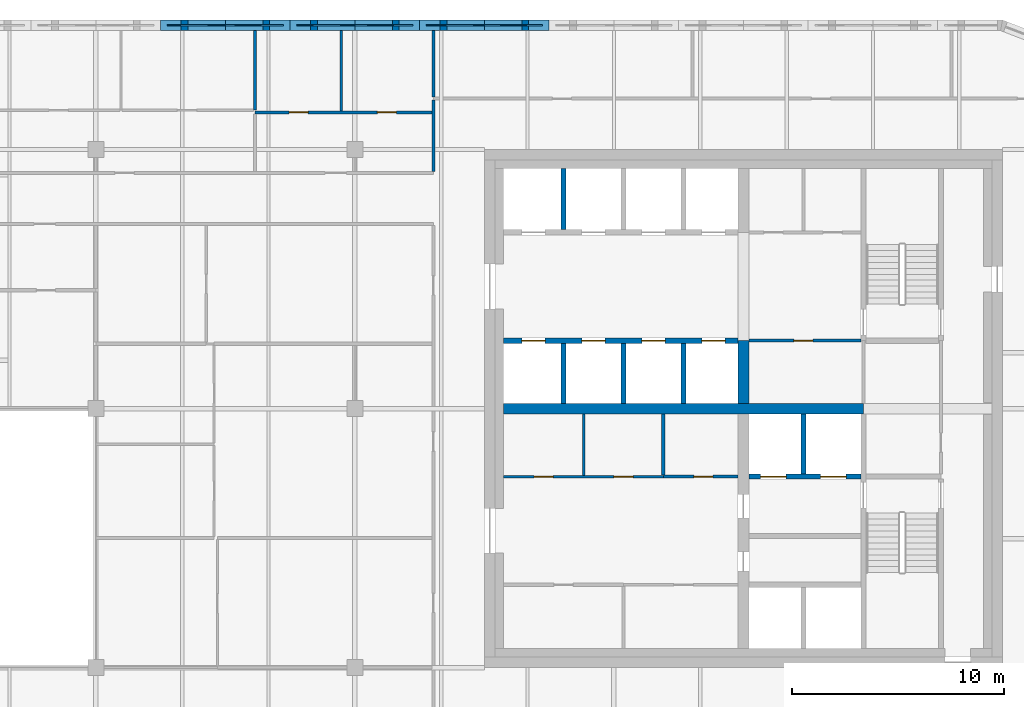
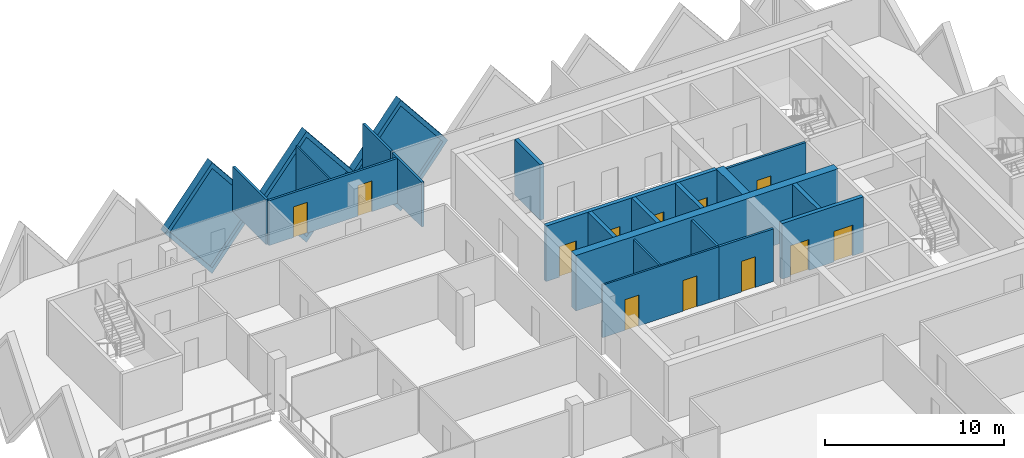
# One storey, part 8 of 12: 22 walls, 12 doors, 3 plates, 15 openings.
"""IFC4 building model written with IfcOpenShell, lengths in metres."""

from ifc_helpers import new_model, si_unit, direction, frame, frame_2d, origin, place, context, subcontext, project, spatial, polyline, rectangle, outline, extrude, faceted_brep, source, transform, mapped, material, layer, layer_set, type_object, element, fill, save


model = new_model("IFC4")

# Units and contexts
model_context = context("Model", 3, precision=1e-05, world=origin(), true_north=direction((0.0, 1.0)))
body_context = subcontext(model_context, "Body", "Model", "MODEL_VIEW")
ifc_project = project(units=[si_unit("LENGTHUNIT", "METRE"), si_unit("AREAUNIT", "SQUARE_METRE"), si_unit("VOLUMEUNIT", "CUBIC_METRE"), si_unit("PLANEANGLEUNIT", "RADIAN"), si_unit("MASSUNIT", "GRAM", prefix="KILO")], contexts=[model_context])

# Site, building, storey
site_placement = place(None, origin())
site = spatial("IfcSite", under=ifc_project, at=site_placement, CompositionType="ELEMENT")
building_placement = place(site_placement, origin())
building = spatial("IfcBuilding", under=site, at=building_placement, Name="Tessera Gate Towers", CompositionType="ELEMENT")
storey_placement = place(building_placement, frame((0.0, 0.0, 220.699951171875)))
storey = spatial("IfcBuildingStorey", under=building, at=storey_placement, Name="L55", CompositionType="ELEMENT", Elevation=220.699951171875)

# Wall, openings, doors
ifc_material_1 = material(Name="Concrete C40/50", Category="concrete")
ifc_layer_1 = layer(ifc_material_1, 0.25)
ifc_layer_set_1 = layer_set([ifc_layer_1], Name="CORE ENCLOSURE WALL 250")
wall_type_1 = type_object("IfcWallType", Name="CORE ENCLOSURE WALL 250", PredefinedType="SOLIDWALL", material=ifc_layer_set_1)
wall_1_placement = place(storey_placement, frame((31.39990234375, 39.800048828125, 0.0), z_axis=(0.0, 0.0, 1.0), x_axis=(1.0, 0.0, 0.0)))
wall_1 = element("IfcWall", 1, at=wall_1_placement, inside=storey, type_object=wall_type_1, Name="L55 shaft and stair enclosure wall", PredefinedType="SOLIDWALL", context=body_context, shape_type="SweptSolid", body=[
    extrude(rectangle(XDim=11.050048828125, YDim=0.25, at=frame_2d((5.52490234375, 0.0))), origin(), (0.0, 0.0, 1.0), 3.800048828125),
])
shared_shape_1 = source(origin(), body_context, "Body", "SweptSolid", [
    extrude(rectangle(XDim=1.10009765625, YDim=2.10009765625, at=frame_2d((0.550048828125, 1.050048828125))), frame((0.0, 0.135009765625, 0.0), z_axis=(0.0, -1.0, 0.0), x_axis=(1.0, 0.0, 0.0)), (0.0, 0.0, 1.0), 0.27001953125),
])
opening_1_placement = place(wall_1_placement, frame((0.862548828125, 0.0, 0.0)))
opening_1 = element("IfcOpeningElement", 2, at=opening_1_placement, cuts=wall_1, Name="Opening LD-HR1", PredefinedType="OPENING", context=body_context, shape_type="MappedRepresentation", body=[
    mapped(shared_shape_1, transform((0.0, 0.0, 0.0), scale=1.0)),
])
opening_2_placement = place(wall_1_placement, frame((3.6875, 0.0, 0.0)))
opening_2 = element("IfcOpeningElement", 3, at=opening_2_placement, cuts=wall_1, Name="Opening LD-HR2", PredefinedType="OPENING", context=body_context, shape_type="MappedRepresentation", body=[
    mapped(shared_shape_1, transform((0.0, 0.0, 0.0), scale=1.0)),
])
opening_3_placement = place(wall_1_placement, frame((6.512451171875, 0.0, 0.0)))
opening_3 = element("IfcOpeningElement", 4, at=opening_3_placement, cuts=wall_1, Name="Opening LD-HR3", PredefinedType="OPENING", context=body_context, shape_type="MappedRepresentation", body=[
    mapped(shared_shape_1, transform((0.0, 0.0, 0.0), scale=1.0)),
])
opening_4_placement = place(wall_1_placement, frame((9.33740234375, 0.0, 0.0)))
opening_4 = element("IfcOpeningElement", 5, at=opening_4_placement, cuts=wall_1, Name="Opening LD-HR4", PredefinedType="OPENING", context=body_context, shape_type="MappedRepresentation", body=[
    mapped(shared_shape_1, transform((0.0, 0.0, 0.0), scale=1.0)),
])
ifc_material_2 = material(Name="Stainless steel", Category="steel")
door_type_1 = type_object("IfcDoorType", Name="CORE DOOR LD 1100x2100", OperationType="DOUBLE_DOOR_SLIDING", PredefinedType="DOOR", material=ifc_material_2)
shared_shape_2 = source(origin(), body_context, "Body", "SweptSolid", [
    extrude(rectangle(XDim=1.10009765625, YDim=2.10009765625, at=frame_2d((0.550048828125, 1.050048828125))), frame((0.0, 0.02490234375, 0.0), z_axis=(0.0, -1.0, 0.0), x_axis=(1.0, 0.0, 0.0)), (0.0, 0.0, 1.0), 0.050048828125),
])
door_1_placement = place(opening_1_placement, origin())
door_1 = element("IfcDoor", 6, at=door_1_placement, inside=storey, type_object=door_type_1, Name="Landing door HR1 L55", OperationType="DOUBLE_DOOR_SLIDING", OverallHeight=2.10009765625, OverallWidth=1.10009765625, PredefinedType="DOOR", context=body_context, shape_type="MappedRepresentation", body=[
    mapped(shared_shape_2, transform((0.0, 0.0, 0.0), scale=1.0)),
])
fill(opening_1, door_1)
door_2_placement = place(opening_2_placement, origin())
door_2 = element("IfcDoor", 7, at=door_2_placement, inside=storey, type_object=door_type_1, Name="Landing door HR2 L55", OperationType="DOUBLE_DOOR_SLIDING", OverallHeight=2.10009765625, OverallWidth=1.10009765625, PredefinedType="DOOR", context=body_context, shape_type="MappedRepresentation", body=[
    mapped(shared_shape_2, transform((0.0, 0.0, 0.0), scale=1.0)),
])
fill(opening_2, door_2)
door_3_placement = place(opening_3_placement, origin())
door_3 = element("IfcDoor", 8, at=door_3_placement, inside=storey, type_object=door_type_1, Name="Landing door HR3 L55", OperationType="DOUBLE_DOOR_SLIDING", OverallHeight=2.10009765625, OverallWidth=1.10009765625, PredefinedType="DOOR", context=body_context, shape_type="MappedRepresentation", body=[
    mapped(shared_shape_2, transform((0.0, 0.0, 0.0), scale=1.0)),
])
fill(opening_3, door_3)
door_4_placement = place(opening_4_placement, origin())
door_4 = element("IfcDoor", 9, at=door_4_placement, inside=storey, type_object=door_type_1, Name="Landing door HR4 L55", OperationType="DOUBLE_DOOR_SLIDING", OverallHeight=2.10009765625, OverallWidth=1.10009765625, PredefinedType="DOOR", context=body_context, shape_type="MappedRepresentation", body=[
    mapped(shared_shape_2, transform((0.0, 0.0, 0.0), scale=1.0)),
])
fill(opening_4, door_4)

wall_2_placement = place(storey_placement, frame((48.22509765625, 33.39990234375, 0.0), z_axis=(0.0, 0.0, 1.0), x_axis=(-1.0, 0.0, 0.0)))
wall_2 = element("IfcWall", 10, at=wall_2_placement, inside=storey, type_object=wall_type_1, Name="L55 shaft and stair enclosure wall", PredefinedType="SOLIDWALL", context=body_context, shape_type="SweptSolid", body=[
    extrude(rectangle(XDim=5.275146484375, YDim=0.25, at=frame_2d((2.6376953125, 0.0))), origin(), (0.0, 0.0, 1.0), 3.800048828125),
])
shared_shape_3 = source(origin(), body_context, "Body", "SweptSolid", [
    extrude(rectangle(XDim=1.199951171875, YDim=2.10009765625, at=frame_2d((0.60009765625, 1.050048828125))), frame((0.0, 0.135009765625, 0.0), z_axis=(0.0, -1.0, 0.0), x_axis=(1.0, 0.0, 0.0)), (0.0, 0.0, 1.0), 0.27001953125),
])
opening_5_placement = place(wall_2_placement, frame((3.512451171875, 0.0, 0.0)))
opening_5 = element("IfcOpeningElement", 11, at=opening_5_placement, cuts=wall_2, Name="Opening LD-FF1", PredefinedType="OPENING", context=body_context, shape_type="MappedRepresentation", body=[
    mapped(shared_shape_3, transform((0.0, 0.0, 0.0), scale=1.0)),
])
opening_6_placement = place(wall_2_placement, frame((0.6875, 0.0, 0.0)))
opening_6 = element("IfcOpeningElement", 12, at=opening_6_placement, cuts=wall_2, Name="Opening LD-FF2", PredefinedType="OPENING", context=body_context, shape_type="MappedRepresentation", body=[
    mapped(shared_shape_3, transform((0.0, 0.0, 0.0), scale=1.0)),
])
ifc_material_3 = material(Name="Stainless steel", Category="steel")
door_type_2 = type_object("IfcDoorType", Name="CORE DOOR LD1200 1200x2100", OperationType="DOUBLE_DOOR_SLIDING", PredefinedType="DOOR", material=ifc_material_3)
shared_shape_4 = source(origin(), body_context, "Body", "SweptSolid", [
    extrude(rectangle(XDim=1.199951171875, YDim=2.10009765625, at=frame_2d((0.60009765625, 1.050048828125))), frame((0.0, 0.02490234375, 0.0), z_axis=(0.0, -1.0, 0.0), x_axis=(1.0, 0.0, 0.0)), (0.0, 0.0, 1.0), 0.050048828125),
])
door_5_placement = place(opening_5_placement, origin())
door_5 = element("IfcDoor", 13, at=door_5_placement, inside=storey, type_object=door_type_2, Name="Landing door FF1 L55", OperationType="DOUBLE_DOOR_SLIDING", OverallHeight=2.10009765625, OverallWidth=1.199951171875, PredefinedType="DOOR", context=body_context, shape_type="MappedRepresentation", body=[
    mapped(shared_shape_4, transform((0.0, 0.0, 0.0), scale=1.0)),
])
fill(opening_5, door_5)
door_6_placement = place(opening_6_placement, origin())
door_6 = element("IfcDoor", 14, at=door_6_placement, inside=storey, type_object=door_type_2, Name="Landing door FF2 L55", OperationType="DOUBLE_DOOR_SLIDING", OverallHeight=2.10009765625, OverallWidth=1.199951171875, PredefinedType="DOOR", context=body_context, shape_type="MappedRepresentation", body=[
    mapped(shared_shape_4, transform((0.0, 0.0, 0.0), scale=1.0)),
])
fill(opening_6, door_6)

# Walls
for number, where, z_axis, x_axis, name in (
    (15, (34.22509765625, 36.85009765625, 0.0), (0.0, 0.0, 1.0), (0.0, 1.0, 0.0), "L55 shaft and stair enclosure wall"),
    (16, (37.050048828125, 36.85009765625, 0.0), (0.0, 0.0, 1.0), (0.0, 1.0, 0.0), "L55 shaft and stair enclosure wall"),
    (17, (39.875, 36.85009765625, 0.0), (0.0, 0.0, 1.0), (0.0, 1.0, 0.0), "L55 shaft and stair enclosure wall"),
):
    element("IfcWall", number, at=place(storey_placement, frame(where, z_axis=z_axis, x_axis=x_axis)), inside=storey, type_object=wall_type_1, Name=name, PredefinedType="SOLIDWALL", context=body_context, shape_type="SweptSolid", body=[
        extrude(rectangle(XDim=2.824951171875, YDim=0.25, at=frame_2d((1.41259765625, 0.0))), origin(), (0.0, 0.0, 1.0), 3.800048828125),
    ])
wall_3_placement = place(storey_placement, frame((45.52490234375, 33.52490234375, 0.0), z_axis=(0.0, 0.0, 1.0), x_axis=(0.0, 1.0, 0.0)))
element("IfcWall", 18, at=wall_3_placement, inside=storey, type_object=wall_type_1, Name="L55 shaft and stair enclosure wall", PredefinedType="SOLIDWALL", context=body_context, shape_type="SweptSolid", body=[
    extrude(rectangle(XDim=2.8251953125, YDim=0.25, at=frame_2d((1.41259765625, 0.0))), origin(), (0.0, 0.0, 1.0), 3.800048828125),
])
wall_4_placement = place(storey_placement, frame((34.22509765625, 45.02490234375, 0.0), z_axis=(0.0, 0.0, 1.0), x_axis=(0.0, 1.0, 0.0)))
element("IfcWall", 19, at=wall_4_placement, inside=storey, type_object=wall_type_1, Name="L55 shaft and stair enclosure wall", PredefinedType="SOLIDWALL", context=body_context, shape_type="SweptSolid", body=[
    extrude(rectangle(XDim=2.875, YDim=0.25, at=frame_2d((1.4375, 0.0))), origin(), (0.0, 0.0, 1.0), 3.800048828125),
])

# Wall, openings, doors
ifc_material_4 = material(Name="Gypsum board on steel studs", Category="steel")
ifc_layer_2 = layer(ifc_material_4, 0.1201171875)
ifc_layer_set_2 = layer_set([ifc_layer_2], Name="CORE PARTITION 120")
wall_type_2 = type_object("IfcWallType", Name="CORE PARTITION 120", PredefinedType="PARTITIONING", material=ifc_layer_set_2)
wall_5_placement = place(storey_placement, frame((31.39990234375, 33.39990234375, 0.0), z_axis=(0.0, 0.0, 1.0), x_axis=(1.0, 0.0, 0.0)))
wall_5 = element("IfcWall", 20, at=wall_5_placement, inside=storey, type_object=wall_type_2, Name="L55 core partition", PredefinedType="PARTITIONING", context=body_context, shape_type="SweptSolid", body=[
    extrude(rectangle(XDim=7.525146484375, YDim=0.1201171875, at=frame_2d((3.7626953125, 0.0))), origin(), (0.0, 0.0, 1.0), 3.60009765625),
])
shared_shape_5 = source(origin(), body_context, "Body", "SweptSolid", [
    extrude(rectangle(XDim=0.89990234375, YDim=2.10009765625, at=frame_2d((0.449951171875, 1.050048828125))), frame((0.0, 0.070068359375, 0.0), z_axis=(0.0, -1.0, 0.0), x_axis=(1.0, 0.0, 0.0)), (0.0, 0.0, 1.0), 0.14013671875),
])
opening_7_placement = place(wall_5_placement, frame((1.4375, 0.0, 0.0)))
opening_7 = element("IfcOpeningElement", 21, at=opening_7_placement, cuts=wall_5, Name="Opening RD-T1-33-07", PredefinedType="OPENING", context=body_context, shape_type="MappedRepresentation", body=[
    mapped(shared_shape_5, transform((0.0, 0.0, 0.0), scale=1.0)),
])
opening_8_placement = place(wall_5_placement, frame((5.199951171875, 0.0, 0.0)))
opening_8 = element("IfcOpeningElement", 22, at=opening_8_placement, cuts=wall_5, Name="Opening RD-T1-33-08", PredefinedType="OPENING", context=body_context, shape_type="MappedRepresentation", body=[
    mapped(shared_shape_5, transform((0.0, 0.0, 0.0), scale=1.0)),
])
ifc_material_5 = material(Name="Hollow steel fire door", Category="steel")
door_type_3 = type_object("IfcDoorType", Name="CORE DOOR RD 900x2100", OperationType="NOTDEFINED", PredefinedType="DOOR", material=ifc_material_5)
shared_shape_6 = source(origin(), body_context, "Body", "SweptSolid", [
    extrude(rectangle(XDim=0.89990234375, YDim=2.10009765625, at=frame_2d((0.449951171875, 1.050048828125))), frame((0.0, 0.02490234375, 0.0), z_axis=(0.0, -1.0, 0.0), x_axis=(1.0, 0.0, 0.0)), (0.0, 0.0, 1.0), 0.050048828125),
])
door_7_placement = place(opening_7_placement, origin())
door_7 = element("IfcDoor", 23, at=door_7_placement, inside=storey, type_object=door_type_3, Name="Core room door", OperationType="SINGLE_SWING_LEFT", OverallHeight=2.10009765625, OverallWidth=0.89990234375, PredefinedType="DOOR", context=body_context, shape_type="MappedRepresentation", body=[
    mapped(shared_shape_6, transform((0.0, 0.0, 0.0), scale=1.0)),
])
fill(opening_7, door_7)
door_8_placement = place(opening_8_placement, origin())
door_8 = element("IfcDoor", 24, at=door_8_placement, inside=storey, type_object=door_type_3, Name="Core room door", OperationType="SINGLE_SWING_RIGHT", OverallHeight=2.10009765625, OverallWidth=0.89990234375, PredefinedType="DOOR", context=body_context, shape_type="MappedRepresentation", body=[
    mapped(shared_shape_6, transform((0.0, 0.0, 0.0), scale=1.0)),
])
fill(opening_8, door_8)

# Walls
wall_6_placement = place(storey_placement, frame((35.175048828125, 33.4599609375, 0.0), z_axis=(0.0, 0.0, 1.0), x_axis=(0.0, 1.0, 0.0)))
element("IfcWall", 25, at=wall_6_placement, inside=storey, type_object=wall_type_2, Name="L55 core partition", PredefinedType="PARTITIONING", context=body_context, shape_type="SweptSolid", body=[
    extrude(rectangle(XDim=2.89013671875, YDim=0.1201171875, at=frame_2d((1.445068359375, 0.0))), origin(), (0.0, 0.0, 1.0), 3.60009765625),
])
ifc_material_6 = material(Name="Concrete C50/60", Category="concrete")
ifc_layer_3 = layer(ifc_material_6, 0.5)
ifc_layer_set_3 = layer_set([ifc_layer_3], Name="CORE SPINE WALL 500 C50/60")
wall_type_3 = type_object("IfcWallType", Name="CORE SPINE WALL 500 C50/60", PredefinedType="SHEAR", material=ifc_layer_set_3)
wall_7_placement = place(storey_placement, frame((31.39990234375, 36.60009765625, 0.0), z_axis=(0.0, 0.0, 1.0), x_axis=(1.0, 0.0, 0.0)))
element("IfcWall", 26, at=wall_7_placement, inside=storey, type_object=wall_type_3, Name="Core wall spine L55", PredefinedType="SHEAR", context=body_context, shape_type="SweptSolid", body=[
    extrude(rectangle(XDim=16.9501953125, YDim=0.5, at=frame_2d((8.47509765625, 0.0))), origin(), (0.0, 0.0, 1.0), 3.800048828125),
])
wall_8_placement = place(storey_placement, frame((42.699951171875, 36.85009765625, 0.0), z_axis=(0.0, 0.0, 1.0), x_axis=(0.0, 1.0, 0.0)))
element("IfcWall", 27, at=wall_8_placement, inside=storey, type_object=wall_type_3, Name="Core wall spine L55", PredefinedType="SHEAR", context=body_context, shape_type="SweptSolid", body=[
    extrude(rectangle(XDim=2.949951171875, YDim=0.5, at=frame_2d((1.47509765625, 0.0))), origin(), (0.0, 0.0, 1.0), 3.800048828125),
])
ifc_material_7 = material(Name="Gypsum board on steel studs, mineral wool", Category="steel")
ifc_layer_4 = layer(ifc_material_7, 0.14990234375)
ifc_layer_set_4 = layer_set([ifc_layer_4], Name="CORRIDOR WALL 150")
wall_type_4 = type_object("IfcWallType", Name="CORRIDOR WALL 150", PredefinedType="PARTITIONING", material=ifc_layer_set_4)
wall_9_placement = place(storey_placement, frame((28.10009765625, 47.77587890625, 0.0), z_axis=(0.0, 0.0, 1.0), x_axis=(0.0, 1.0, 0.0)))
element("IfcWall", 28, at=wall_9_placement, inside=storey, type_object=wall_type_4, Name="T1-L55-PW-043", PredefinedType="PARTITIONING", context=body_context, shape_type="SweptSolid", body=[
    extrude(rectangle(XDim=3.34814453125, YDim=0.14990234375, at=frame_2d((1.674072265625, 0.0))), origin(), (0.0, 0.0, 1.0), 3.067138671875),
])
ifc_material_8 = material(Name="Gypsum board on steel studs", Category="steel")
ifc_layer_5 = layer(ifc_material_8, 0.10009765625)
ifc_layer_set_5 = layer_set([ifc_layer_5], Name="PARTITION 100")
wall_type_5 = type_object("IfcWallType", Name="PARTITION 100", PredefinedType="PARTITIONING", material=ifc_layer_set_5)
wall_10_placement = place(storey_placement, frame((23.758056640625, 50.6259765625, 0.0), z_axis=(0.0, 0.0, 1.0), x_axis=(0.0, 1.0, 0.0)))
element("IfcWall", 29, at=wall_10_placement, inside=storey, type_object=wall_type_5, Name="T1-L55-PW-047", PredefinedType="PARTITIONING", context=body_context, shape_type="SweptSolid", body=[
    extrude(rectangle(XDim=3.77392578125, YDim=0.10009765625, at=frame_2d((1.886962890625, 0.0))), origin(), (0.0, 0.0, 1.0), 3.067138671875),
])

# Wall, opening, door
ifc_material_9 = material(Name="Gypsum board on steel studs", Category="steel")
ifc_layer_6 = layer(ifc_material_9, 0.14990234375)
ifc_layer_set_6 = layer_set([ifc_layer_6], Name="SERVICE ROOM WALL 150")
wall_type_6 = type_object("IfcWallType", Name="SERVICE ROOM WALL 150", PredefinedType="PARTITIONING", material=ifc_layer_set_6)
wall_11_placement = place(storey_placement, frame((48.22509765625, 39.800048828125, 0.0), z_axis=(0.0, 0.0, 1.0), x_axis=(-1.0, 0.0, 0.0)))
wall_11 = element("IfcWall", 30, at=wall_11_placement, inside=storey, type_object=wall_type_6, Name="L55 service room wall", PredefinedType="PARTITIONING", context=body_context, shape_type="SweptSolid", body=[
    extrude(rectangle(XDim=5.275146484375, YDim=0.14990234375, at=frame_2d((2.6376953125, 0.0))), origin(), (0.0, 0.0, 1.0), 3.60009765625),
])
shared_shape_7 = source(origin(), body_context, "Body", "SweptSolid", [
    extrude(rectangle(XDim=0.89990234375, YDim=2.10009765625, at=frame_2d((0.449951171875, 1.050048828125))), frame((0.0, 0.0849609375, 0.0), z_axis=(0.0, -1.0, 0.0), x_axis=(1.0, 0.0, 0.0)), (0.0, 0.0, 1.0), 0.169921875),
])
opening_9_placement = place(wall_11_placement, frame((2.25, 0.0, 0.0)))
opening_9 = element("IfcOpeningElement", 31, at=opening_9_placement, cuts=wall_11, Name="Opening RD-T1-33-10", PredefinedType="OPENING", context=body_context, shape_type="MappedRepresentation", body=[
    mapped(shared_shape_7, transform((0.0, 0.0, 0.0), scale=1.0)),
])
door_9_placement = place(opening_9_placement, origin())
door_9 = element("IfcDoor", 32, at=door_9_placement, inside=storey, type_object=door_type_3, Name="Core room door", OperationType="SINGLE_SWING_RIGHT", OverallHeight=2.10009765625, OverallWidth=0.89990234375, PredefinedType="DOOR", context=body_context, shape_type="MappedRepresentation", body=[
    mapped(shared_shape_6, transform((0.0, 0.0, 0.0), scale=1.0)),
])
fill(opening_9, door_9)

wall_12_placement = place(storey_placement, frame((38.925048828125, 33.39990234375, 0.0), z_axis=(0.0, 0.0, 1.0), x_axis=(1.0, 0.0, 0.0)))
wall_12 = element("IfcWall", 33, at=wall_12_placement, inside=storey, type_object=wall_type_6, Name="L55 service room wall", PredefinedType="PARTITIONING", context=body_context, shape_type="SweptSolid", body=[
    extrude(rectangle(XDim=3.52490234375, YDim=0.14990234375, at=frame_2d((1.762451171875, 0.0))), origin(), (0.0, 0.0, 1.0), 3.60009765625),
])
opening_10_placement = place(wall_12_placement, frame((1.4375, 0.0, 0.0)))
opening_10 = element("IfcOpeningElement", 34, at=opening_10_placement, cuts=wall_12, Name="Opening RD-T1-33-15", PredefinedType="OPENING", context=body_context, shape_type="MappedRepresentation", body=[
    mapped(shared_shape_7, transform((0.0, 0.0, 0.0), scale=1.0)),
])
door_10_placement = place(opening_10_placement, origin())
door_10 = element("IfcDoor", 35, at=door_10_placement, inside=storey, type_object=door_type_3, Name="Core room door", OperationType="SINGLE_SWING_RIGHT", OverallHeight=2.10009765625, OverallWidth=0.89990234375, PredefinedType="DOOR", context=body_context, shape_type="MappedRepresentation", body=[
    mapped(shared_shape_6, transform((0.0, 0.0, 0.0), scale=1.0)),
])
fill(opening_10, door_10)

# Wall
wall_13_placement = place(storey_placement, frame((38.925048828125, 33.47509765625, 0.0), z_axis=(0.0, 0.0, 1.0), x_axis=(0.0, 1.0, 0.0)))
element("IfcWall", 36, at=wall_13_placement, inside=storey, type_object=wall_type_6, Name="L55 service room wall", PredefinedType="PARTITIONING", context=body_context, shape_type="SweptSolid", body=[
    extrude(rectangle(XDim=2.875, YDim=0.14990234375, at=frame_2d((1.4375, 0.0))), origin(), (0.0, 0.0, 1.0), 3.60009765625),
])

# Wall, openings, doors
ifc_material_10 = material(Name="Gypsum board on steel studs, mineral wool", Category="steel")
ifc_layer_7 = layer(ifc_material_10, 0.14990234375)
ifc_layer_set_7 = layer_set([ifc_layer_7], Name="TENANCY WALL 150")
wall_type_7 = type_object("IfcWallType", Name="TENANCY WALL 150", PredefinedType="PARTITIONING", material=ifc_layer_set_7)
wall_14_placement = place(storey_placement, frame((19.699951171875, 50.550048828125, 0.0), z_axis=(0.0, 0.0, 1.0), x_axis=(1.0, 0.0, 0.0)))
wall_14 = element("IfcWall", 37, at=wall_14_placement, inside=storey, type_object=wall_type_7, Name="T1-L55-PW-046", PredefinedType="PARTITIONING", context=body_context, shape_type="SweptSolid", body=[
    extrude(rectangle(XDim=8.323974609375, YDim=0.14990234375, at=frame_2d((4.162109375, 0.0))), origin(), (0.0, 0.0, 1.0), 3.067138671875),
])
opening_11_placement = place(wall_14_placement, frame((1.60009765625, 0.0, 0.0)))
opening_11 = element("IfcOpeningElement", 38, at=opening_11_placement, cuts=wall_14, Name="Opening D190-A20-01", PredefinedType="OPENING", context=body_context, shape_type="MappedRepresentation", body=[
    mapped(shared_shape_7, transform((0.0, 0.0, 0.0), scale=1.0)),
])
opening_12_placement = place(wall_14_placement, frame((5.758056640625, 0.0, 0.0)))
opening_12 = element("IfcOpeningElement", 39, at=opening_12_placement, cuts=wall_14, Name="Opening D190-A20-02", PredefinedType="OPENING", context=body_context, shape_type="MappedRepresentation", body=[
    mapped(shared_shape_7, transform((0.0, 0.0, 0.0), scale=1.0)),
])
ifc_material_11 = material(Name="Timber door leaf in steel frame", Category="steel")
door_type_4 = type_object("IfcDoorType", Name="INTERNAL DOOR 900 NOT RATED", OperationType="NOTDEFINED", PredefinedType="DOOR", material=ifc_material_11)
door_11_placement = place(opening_11_placement, origin())
door_11 = element("IfcDoor", 40, at=door_11_placement, inside=storey, type_object=door_type_4, Name="T1-L55-PD-002", OperationType="SINGLE_SWING_LEFT", OverallHeight=2.10009765625, OverallWidth=0.89990234375, PredefinedType="DOOR", context=body_context, shape_type="MappedRepresentation", body=[
    mapped(shared_shape_6, transform((0.0, 0.0, 0.0), scale=1.0)),
])
fill(opening_11, door_11)
door_12_placement = place(opening_12_placement, origin())
door_12 = element("IfcDoor", 41, at=door_12_placement, inside=storey, type_object=door_type_4, Name="T1-L55-PD-003", OperationType="SINGLE_SWING_LEFT", OverallHeight=2.10009765625, OverallWidth=0.89990234375, PredefinedType="DOOR", context=body_context, shape_type="MappedRepresentation", body=[
    mapped(shared_shape_6, transform((0.0, 0.0, 0.0), scale=1.0)),
])
fill(opening_12, door_12)

# Walls
wall_15_placement = place(storey_placement, frame((19.699951171875, 50.64990234375, 0.0), z_axis=(0.0, 0.0, 1.0), x_axis=(0.0, 1.0, 0.0)))
element("IfcWall", 42, at=wall_15_placement, inside=storey, type_object=wall_type_7, Name="T1-L55-PW-051", PredefinedType="PARTITIONING", context=body_context, shape_type="SweptSolid", body=[
    extrude(rectangle(XDim=3.75, YDim=0.14990234375, at=frame_2d((1.875, 0.0))), origin(), (0.0, 0.0, 1.0), 3.067138671875),
])
wall_16_placement = place(storey_placement, frame((28.10009765625, 51.27587890625, 0.0), z_axis=(0.0, 0.0, 1.0), x_axis=(0.0, 1.0, 0.0)))
element("IfcWall", 43, at=wall_16_placement, inside=storey, type_object=wall_type_7, Name="T1-L55-PW-053", PredefinedType="PARTITIONING", context=body_context, shape_type="SweptSolid", body=[
    extrude(rectangle(XDim=3.1240234375, YDim=0.14990234375, at=frame_2d((1.56201171875, 0.0))), origin(), (0.0, 0.0, 1.0), 3.067138671875),
])

# Wall, opening, plate
ifc_material_12 = material(Name="Precast concrete C60/75 white", Category="concrete")
ifc_layer_8 = layer(ifc_material_12, 0.5)
ifc_layer_set_8 = layer_set([ifc_layer_8], Name="TS1 tessera")
wall_type_8 = type_object("IfcWallType", Name="TS1 tessera", PredefinedType="SOLIDWALL", material=ifc_layer_set_8)
shared_shape_8 = source(origin(), body_context, "Body", "Brep", [
    faceted_brep([(3.050048828125, -0.25, 0.0), (6.099853515625, -0.25, 3.7998046875), (6.099853515625, -0.25, 3.80029296875), (3.050048828125, -0.25, 7.60009765625), (0.0, -0.25, 3.800048828125), (0.0, 0.25, 3.800048828125), (3.050048828125, 0.25, 7.60009765625), (6.099853515625, 0.25, 3.80029296875), (6.099853515625, 0.25, 3.7998046875), (3.050048828125, 0.25, 0.0)], [[[0, 1, 2, 3, 4]], [[5, 6, 7, 8, 9]], [[9, 8, 1, 0]], [[7, 6, 3, 2]], [[6, 5, 4, 3]], [[5, 9, 0, 4]], [[1, 8, 7, 2]]]),
])
wall_17_placement = place(storey_placement, frame((27.449951171875, 54.64990234375, -3.800048828125), z_axis=(0.0, 0.0, 1.0), x_axis=(-1.0, 0.0, 0.0)))
wall_17 = element("IfcWall", 44, at=wall_17_placement, inside=storey, type_object=wall_type_8, Name="Precast tessera T1 TS1-0980", PredefinedType="SOLIDWALL", context=body_context, shape_type="MappedRepresentation", body=[
    mapped(shared_shape_8, transform((0.0, 0.0, 0.0), scale=1.0)),
])
shared_shape_9 = source(origin(), body_context, "Body", "SweptSolid", [
    extrude(outline(polyline([(3.050048828125, 0.3994140625), (5.779541015625, 3.800048828125), (3.050048828125, 7.20068359375), (0.320556640625, 3.800048828125), (3.050048828125, 0.3994140625)])), frame((0.0, 0.260009765625, 0.0), z_axis=(0.0, -1.0, 0.0), x_axis=(1.0, 0.0, 0.0)), (0.0, 0.0, 1.0), 0.52001953125),
])
opening_13_placement = place(wall_17_placement, origin())
opening_13 = element("IfcOpeningElement", 45, at=opening_13_placement, cuts=wall_17, Name="Opening T1-PL2-1998", PredefinedType="OPENING", context=body_context, shape_type="MappedRepresentation", body=[
    mapped(shared_shape_9, transform((0.0, 0.0, 0.0), scale=1.0)),
])
ifc_material_13 = material(Name="Low-e laminated glass", Category="glass")
ifc_layer_9 = layer(ifc_material_13, 0.06005859375)
ifc_layer_set_9 = layer_set([ifc_layer_9], Name="PL2 rhombic pane")
plate_type = type_object("IfcPlateType", Name="PL2 rhombic pane", PredefinedType="SHEET", material=ifc_layer_set_9)
shared_shape_10 = source(origin(), body_context, "Body", "SweptSolid", [
    extrude(outline(polyline([(3.050048828125, 0.3994140625), (5.779541015625, 3.800048828125), (3.050048828125, 7.20068359375), (0.320556640625, 3.800048828125), (3.050048828125, 0.3994140625)])), frame((0.0, 0.030029296875, 0.0), z_axis=(0.0, -1.0, 0.0), x_axis=(1.0, 0.0, 0.0)), (0.0, 0.0, 1.0), 0.06005859375),
])
plate_1_placement = place(opening_13_placement, origin())
plate_1 = element("IfcPlate", 46, at=plate_1_placement, inside=storey, type_object=plate_type, Name="Glass pane T1 PL2-1998", PredefinedType="SHEET", context=body_context, shape_type="MappedRepresentation", body=[
    mapped(shared_shape_10, transform((0.0, 0.0, 0.0), scale=1.0)),
])
fill(opening_13, plate_1)

shared_shape_11 = source(origin(), body_context, "Body", "SweptSolid", [
    extrude(outline(polyline([(3.050048828125, 0.0), (6.10009765625, 3.800048828125), (3.050048828125, 7.60009765625), (0.0, 3.800048828125), (3.050048828125, 0.0)])), frame((0.0, 0.25, 0.0), z_axis=(0.0, -1.0, 0.0), x_axis=(1.0, 0.0, 0.0)), (0.0, 0.0, 1.0), 0.5),
])
wall_18_placement = place(storey_placement, frame((33.550048828125, 54.64990234375, -3.800048828125), z_axis=(0.0, 0.0, 1.0), x_axis=(-1.0, 0.0, 0.0)))
wall_18 = element("IfcWall", 47, at=wall_18_placement, inside=storey, type_object=wall_type_8, Name="Precast tessera T1 TS1-0979", PredefinedType="SOLIDWALL", context=body_context, shape_type="MappedRepresentation", body=[
    mapped(shared_shape_11, transform((0.0, 0.0, 0.0), scale=1.0)),
])
opening_14_placement = place(wall_18_placement, origin())
opening_14 = element("IfcOpeningElement", 48, at=opening_14_placement, cuts=wall_18, Name="Opening T1-PL2-1997", PredefinedType="OPENING", context=body_context, shape_type="MappedRepresentation", body=[
    mapped(shared_shape_9, transform((0.0, 0.0, 0.0), scale=1.0)),
])
plate_2_placement = place(opening_14_placement, origin())
plate_2 = element("IfcPlate", 49, at=plate_2_placement, inside=storey, type_object=plate_type, Name="Glass pane T1 PL2-1997", PredefinedType="SHEET", context=body_context, shape_type="MappedRepresentation", body=[
    mapped(shared_shape_10, transform((0.0, 0.0, 0.0), scale=1.0)),
])
fill(opening_14, plate_2)

wall_19_placement = place(storey_placement, frame((21.35009765625, 54.64990234375, -3.800048828125), z_axis=(0.0, 0.0, 1.0), x_axis=(-1.0, 0.0, 0.0)))
wall_19 = element("IfcWall", 50, at=wall_19_placement, inside=storey, type_object=wall_type_8, Name="Precast tessera T1 TS1-0981", PredefinedType="SOLIDWALL", context=body_context, shape_type="MappedRepresentation", body=[
    mapped(shared_shape_11, transform((0.0, 0.0, 0.0), scale=1.0)),
])
opening_15_placement = place(wall_19_placement, origin())
opening_15 = element("IfcOpeningElement", 51, at=opening_15_placement, cuts=wall_19, Name="Opening T1-PL2-1999", PredefinedType="OPENING", context=body_context, shape_type="MappedRepresentation", body=[
    mapped(shared_shape_9, transform((0.0, 0.0, 0.0), scale=1.0)),
])
plate_3_placement = place(opening_15_placement, origin())
plate_3 = element("IfcPlate", 52, at=plate_3_placement, inside=storey, type_object=plate_type, Name="Glass pane T1 PL2-1999", PredefinedType="SHEET", context=body_context, shape_type="MappedRepresentation", body=[
    mapped(shared_shape_10, transform((0.0, 0.0, 0.0), scale=1.0)),
])
fill(opening_15, plate_3)

save(model, "model.ifc")
